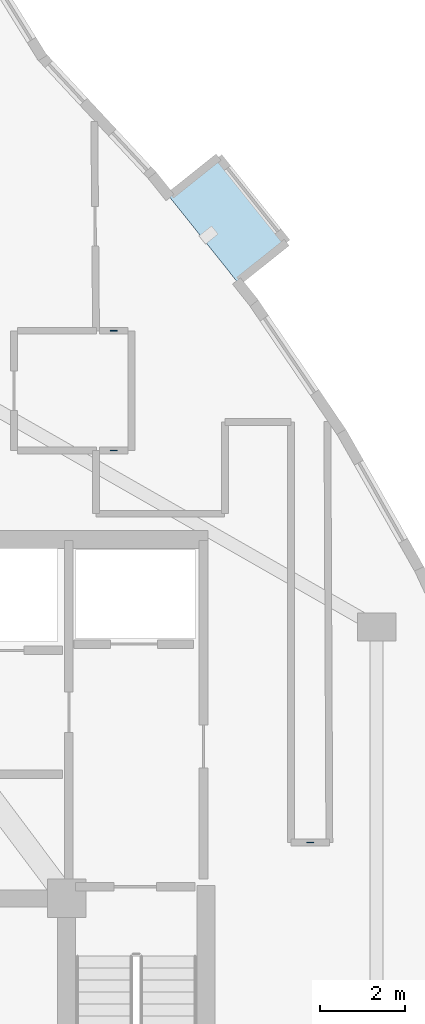
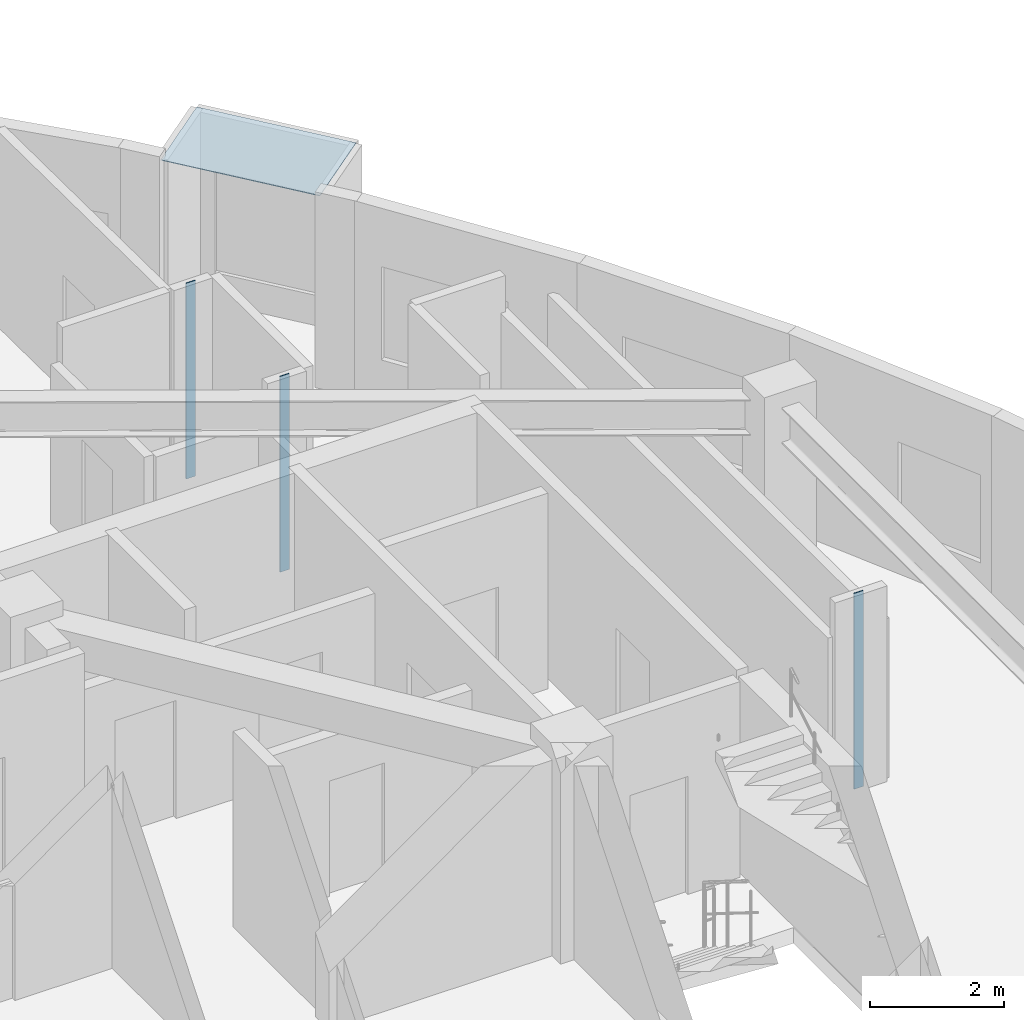
# One storey, part 6 of 13: 4 plates.
"""IFC4 building model written with IfcOpenShell, lengths in metres."""

from ifc_helpers import new_model, si_unit, direction, frame, origin, origin_2d, place, context, subcontext, project, spatial, polyline, rectangle, outline, extrude, material, layer, layer_set, type_object, element, save


model = new_model("IFC4")

# Units and contexts
model_context = context("Model", 3, precision=1e-05, world=origin(), true_north=direction((0.0, 1.0)))
body_context = subcontext(model_context, "Body", "Model", "MODEL_VIEW")
ifc_project = project(units=[si_unit("LENGTHUNIT", "METRE"), si_unit("AREAUNIT", "SQUARE_METRE"), si_unit("VOLUMEUNIT", "CUBIC_METRE"), si_unit("PLANEANGLEUNIT", "RADIAN"), si_unit("MASSUNIT", "GRAM", prefix="KILO")], contexts=[model_context])

# Site, building, storey
site_placement = place(None, origin())
site = spatial("IfcSite", under=ifc_project, at=site_placement, CompositionType="ELEMENT")
building_placement = place(site_placement, origin())
building = spatial("IfcBuilding", under=site, at=building_placement, Name="Miruveldt Soraemaru", CompositionType="ELEMENT")
storey_placement = place(building_placement, frame((0.0, 0.0, 259.699951171875)))
storey = spatial("IfcBuildingStorey", under=building, at=storey_placement, Name="L71", CompositionType="ELEMENT", Elevation=259.699951171875)

# Plates
ifc_material_1 = material(Name="Anodised aluminium EN AW-6063 T6", Category="aluminium")
ifc_layer_1 = layer(ifc_material_1, 0.02001953125, Name="Anodised aluminium EN AW-6063 T6", Category="aluminium")
ifc_layer_set_1 = layer_set([ifc_layer_1], Name="Anodised aluminium EN AW-6063 T6")
plate_type_1 = type_object("IfcPlateType", Name="PLT-PART-TRIM", PredefinedType="SHEET", material=ifc_layer_set_1)
for number, where, z_axis, x_axis, name in (
    (1, (55.047607421875, 45.35791015625, 0.0), (0.0, 0.0, 1.0), (-1.0, 0.0, 0.0), "L71 Partition Step Corner Trim Plate 069"),
    (2, (50.450439453125, 54.530029296875, 0.0), (0.0, 0.0, 1.0), (1.0, 0.0, 0.0), "L71 Partition Step Corner Trim Plate 024"),
    (3, (50.450439453125, 57.330078125, 0.0), (0.0, 0.0, 1.0), (-1.0, 0.0, 0.0), "L71 Partition Step Corner Trim Plate 026"),
):
    element("IfcPlate", number, at=place(storey_placement, frame(where, z_axis=z_axis, x_axis=x_axis)), inside=storey, type_object=plate_type_1, Name=name, PredefinedType="SHEET", context=body_context, shape_type="SweptSolid", body=[
        extrude(rectangle(XDim=0.159912109375, YDim=0.02001953125, at=origin_2d()), origin(), (0.0, 0.0, 1.0), 3.56494140625),
    ])
ifc_material_2 = material(Name="Standing-seam titanium-zinc sheet", Category="aluminium")
ifc_layer_2 = layer(ifc_material_2, 0.011962890625, Name="Standing-seam titanium-zinc sheet", Category="aluminium")
ifc_layer_set_2 = layer_set([ifc_layer_2], Name="Standing-seam titanium-zinc sheet")
plate_type_2 = type_object("IfcPlateType", Name="PLT-ZINC-12", PredefinedType="SHEET", material=ifc_layer_set_2)
plate_placement = place(storey_placement, frame((0.0, 0.0, 3.4150390625)))
element("IfcPlate", 4, at=plate_placement, inside=storey, type_object=plate_type_2, Name="L71 Bay Window Zinc Hood Sheet 2", PredefinedType="SHEET", context=body_context, shape_type="SweptSolid", body=[
    extrude(outline(polyline([(53.33984375, 58.474365234375), (51.747314453125, 60.470947265625), (52.904296875, 61.393798828125), (54.496826171875, 59.397216796875), (53.33984375, 58.474365234375)])), origin(), (0.0, 0.0, 1.0), 0.011962890625),
])

save(model, "model.ifc")
